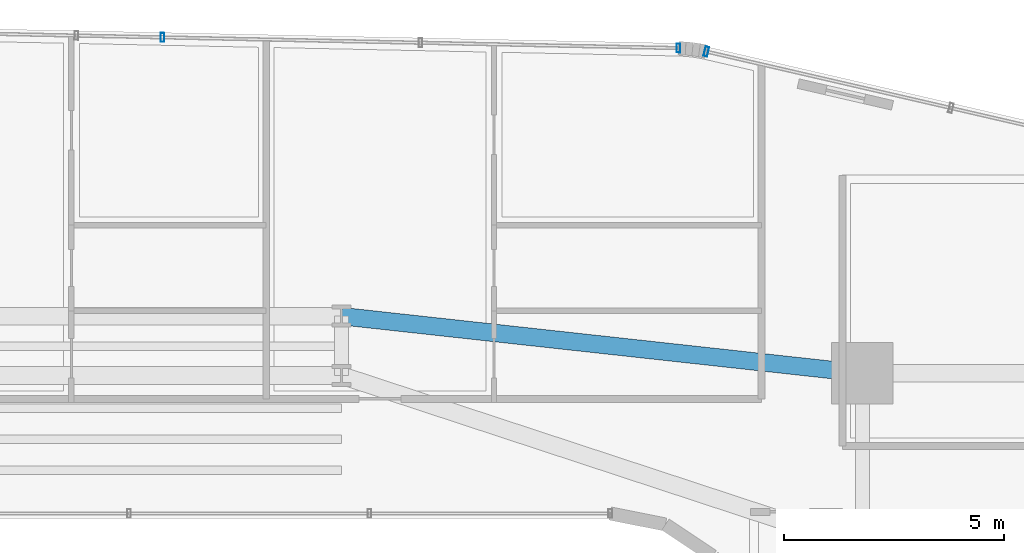
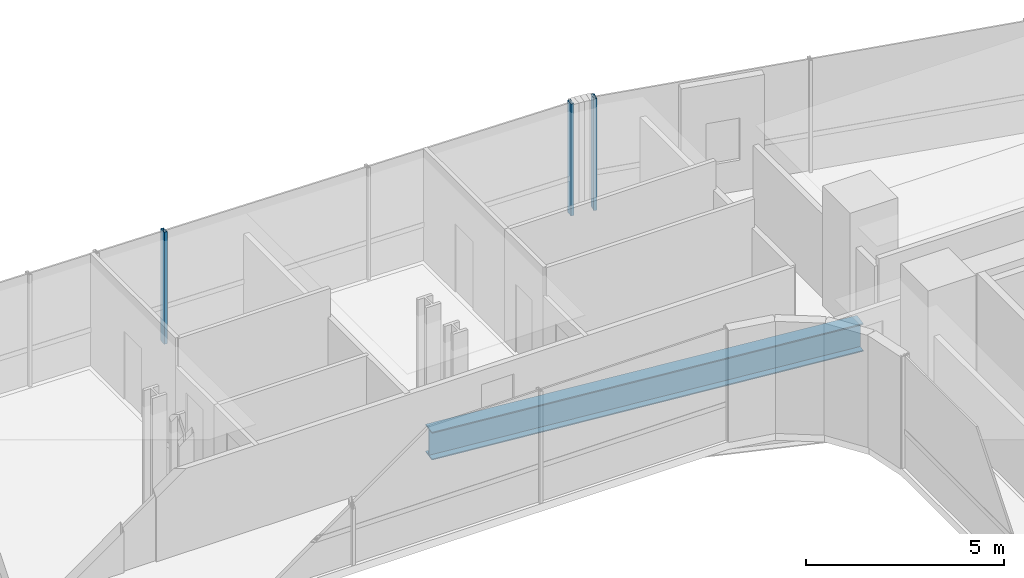
# One storey, part 23 of 42: 3 members, 1 beam, 2 elements without a shape of their own.
"""IFC4 building model written with IfcOpenShell, lengths in metres."""

from ifc_helpers import new_model, si_unit, direction, frame, origin, origin_2d, place, context, subcontext, project, spatial, hollow_rectangle, i_section, extrude, source, transform, mapped, material, material_profile, profile_set, type_object, element, aggregate, save


model = new_model("IFC4")

# Units and contexts
model_context = context("Model", 3, precision=1e-05, world=origin(), true_north=direction((0.0, 1.0)))
body_context = subcontext(model_context, "Body", "Model", "MODEL_VIEW")
ifc_project = project(units=[si_unit("LENGTHUNIT", "METRE"), si_unit("AREAUNIT", "SQUARE_METRE"), si_unit("VOLUMEUNIT", "CUBIC_METRE"), si_unit("PLANEANGLEUNIT", "RADIAN"), si_unit("MASSUNIT", "GRAM", prefix="KILO")], contexts=[model_context])

# Site, building, storey
site_placement = place(None, origin())
site = spatial("IfcSite", under=ifc_project, at=site_placement, CompositionType="ELEMENT")
building_placement = place(site_placement, origin())
building = spatial("IfcBuilding", under=site, at=building_placement, Name="Valdorenza Pilgrim Sanctuary Tower", CompositionType="ELEMENT")
storey_placement = place(building_placement, frame((0.0, 0.0, 55.60009765625)))
storey = spatial("IfcBuildingStorey", under=building, at=storey_placement, Name="L13", CompositionType="ELEMENT", Elevation=55.60009765625)

# Beam
ifc_material_1 = material(Name="Steel ASTM A992 Grade 50", Category="steel")
ifc_material_profile_1 = material_profile(ifc_material_1, i_section(OverallWidth=0.39990234375, OverallDepth=0.862060546875, WebThickness=0.019775390625, FlangeThickness=0.032470703125, at=origin_2d()), Name="W33X221")
ifc_profile_set_1 = profile_set([ifc_material_profile_1], Name="Steel ASTM A992 Grade 50")
beam_type = type_object("IfcBeamType", Name="STR-BM-GRD-W33", PredefinedType="BEAM", material=ifc_profile_set_1)
shared_shape_1 = source(origin(), body_context, "Body", "SweptSolid", [
    extrude(i_section(OverallWidth=0.39990234375, OverallDepth=0.862060546875, WebThickness=0.019775390625, FlangeThickness=0.032470703125, at=origin_2d()), origin(), (0.0, 0.0, 1.0), 11.921142578125),
])
beam_placement = place(storey_placement, frame((4.0, 14.800048828125, -0.671142578125), z_axis=(0.994035876607, -0.10905354656, 0.0), x_axis=(0.10905354656, 0.994035876607, 0.0)))
element("IfcBeam", 1, at=beam_placement, inside=storey, type_object=beam_type, Name="L13 Floor Girder KNK-G6", PredefinedType="BEAM", context=body_context, shape_type="MappedRepresentation", body=[
    mapped(shared_shape_1, transform((0.0, 0.0, 0.0), x_axis=(1.0, 0.0, 0.0), y_axis=(0.0, 1.0, 0.0), z_axis=(0.0, 0.0, 1.0), scale=1.0)),
])

# Curtain wall, members
ifc_material_2 = material(Name="Curtain-wall IGU glazing", Category="glass")
curtain_wall_type_1 = type_object("IfcCurtainWallType", Name="CW-SYS-02", PredefinedType="NOTDEFINED", material=ifc_material_2)
curtain_wall_1_placement = place(storey_placement, origin())
curtain_wall_1 = element("IfcCurtainWall", 2, at=curtain_wall_1_placement, inside=storey, type_object=curtain_wall_type_1, Name="L13 Curtain Wall CW-L13-1-11", PredefinedType="NOTDEFINED")
ifc_material_3 = material(Name="Anodised aluminium AW-6060", Category="aluminium")
ifc_material_profile_2 = material_profile(ifc_material_3, hollow_rectangle(XDim=0.0849609375, YDim=0.199951171875, WallThickness=0.0048828125, at=origin_2d()), Name="ALU-M 200x85x5")
ifc_profile_set_2 = profile_set([ifc_material_profile_2], Name="Anodised aluminium AW-6060")
member_type_1 = type_object("IfcMemberType", Name="CW-MUL-02", PredefinedType="MULLION", material=ifc_profile_set_2)
shared_shape_2 = source(origin(), body_context, "Body", "SweptSolid", [
    extrude(hollow_rectangle(XDim=0.0849609375, YDim=0.199951171875, WallThickness=0.0048828125, at=origin_2d()), origin(), (0.0, 0.0, 1.0), 3.4599609375),
])
member_1_placement = place(storey_placement, frame((-0.0712890625, 21.1416015625, 0.0), z_axis=(0.0, 0.0, 1.0), x_axis=(0.999783234613, -0.020820273474, 0.0)))
member_1 = element("IfcMember", 3, at=member_1_placement, type_object=member_type_1, Name="CW-L13-1-11 Mullion 3", PredefinedType="MULLION", context=body_context, shape_type="MappedRepresentation", body=[
    mapped(shared_shape_2, transform((0.0, 0.0, 0.0), x_axis=(1.0, 0.0, 0.0), y_axis=(0.0, 1.0, 0.0), z_axis=(0.0, 0.0, 1.0), scale=1.0)),
])
member_2_placement = place(storey_placement, frame((11.665771484375, 20.89697265625, 0.0), z_axis=(0.0, 0.0, 1.0), x_axis=(0.999783234613, -0.020820273474, 0.0)))
member_2 = element("IfcMember", 4, at=member_2_placement, type_object=member_type_1, Name="CW-L13-1-11 Mullion 5", PredefinedType="MULLION", context=body_context, shape_type="MappedRepresentation", body=[
    mapped(shared_shape_2, transform((0.0, 0.0, 0.0), x_axis=(1.0, 0.0, 0.0), y_axis=(0.0, 1.0, 0.0), z_axis=(0.0, 0.0, 1.0), scale=1.0)),
])
aggregate(curtain_wall_1, [member_1, member_2])

# Curtain wall, member
curtain_wall_type_2 = type_object("IfcCurtainWallType", Name="CW-SYS-03", PredefinedType="NOTDEFINED", material=ifc_material_2)
curtain_wall_2_placement = place(storey_placement, origin())
curtain_wall_2 = element("IfcCurtainWall", 5, at=curtain_wall_2_placement, inside=storey, type_object=curtain_wall_type_2, Name="L13 Curtain Wall CW-L13-1-16", PredefinedType="NOTDEFINED")
ifc_material_profile_3 = material_profile(ifc_material_3, hollow_rectangle(XDim=0.0849609375, YDim=0.219970703125, WallThickness=0.0048828125, at=origin_2d()), Name="ALU-M 220x85x5")
ifc_profile_set_3 = profile_set([ifc_material_profile_3], Name="Anodised aluminium AW-6060")
member_type_2 = type_object("IfcMemberType", Name="CW-MUL-03", PredefinedType="MULLION", material=ifc_profile_set_3)
shared_shape_3 = source(origin(), body_context, "Body", "SweptSolid", [
    extrude(hollow_rectangle(XDim=0.0849609375, YDim=0.219970703125, WallThickness=0.0048828125, at=origin_2d()), origin(), (0.0, 0.0, 1.0), 3.4599609375),
])
member_3_placement = place(storey_placement, frame((12.299072265625, 20.818115234375, 0.0), z_axis=(0.0, 0.0, 1.0), x_axis=(0.974389691758, -0.224866023659, 0.0)))
member_3 = element("IfcMember", 6, at=member_3_placement, type_object=member_type_2, Name="CW-L13-1-16 Mullion 1", PredefinedType="MULLION", context=body_context, shape_type="MappedRepresentation", body=[
    mapped(shared_shape_3, transform((0.0, 0.0, 0.0), x_axis=(1.0, 0.0, 0.0), y_axis=(0.0, 1.0, 0.0), z_axis=(0.0, 0.0, 1.0), scale=1.0)),
])
aggregate(curtain_wall_2, [member_3])

save(model, "model.ifc")
